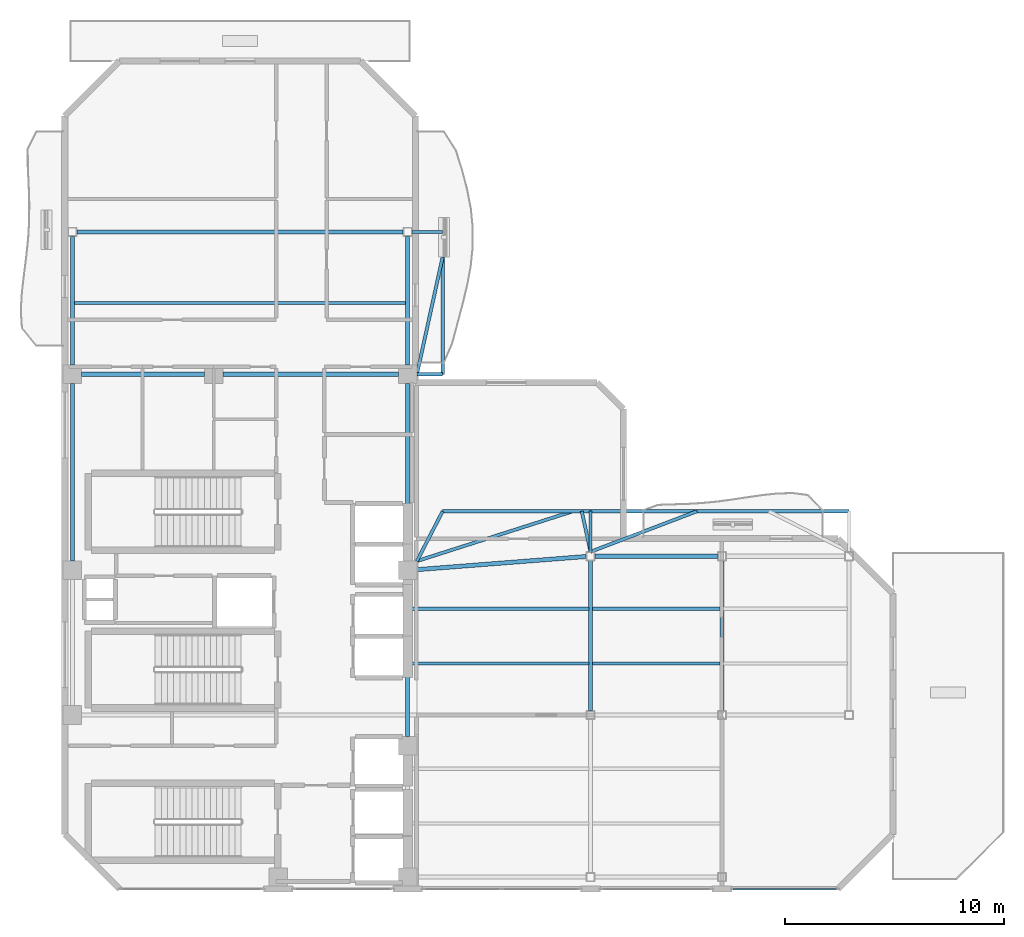
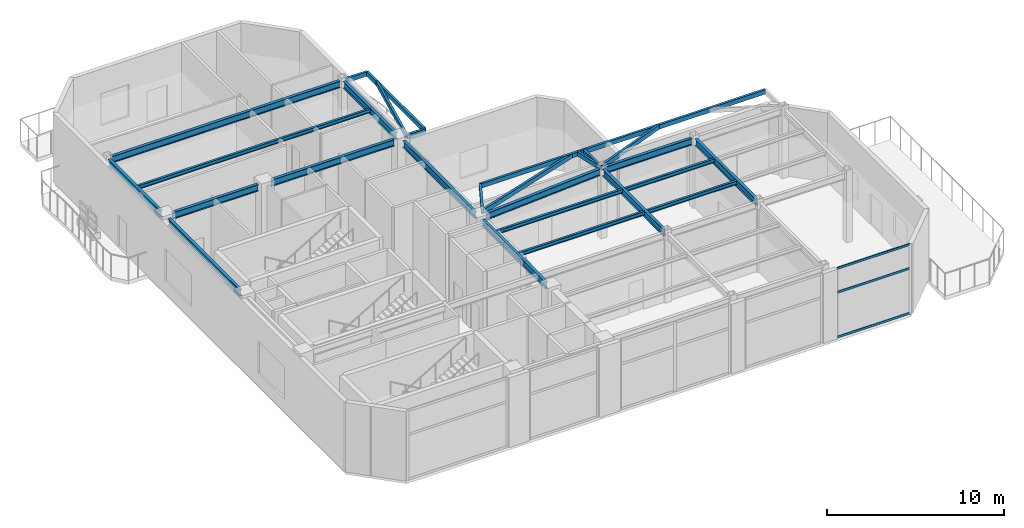
# One storey, part 6 of 14: 28 beams, 3 members, 1 element without a shape of its own.
"""IFC4 building model written with IfcOpenShell, lengths in metres."""

import ifcopenshell
import ifcopenshell.guid

model = None  # the IFC model being written
_history = None  # IfcOwnerHistory: only IFC2X3 demands one
_inside = {}  # id of a spatial element -> (the spatial element, [elements in it])
_under = {}  # id of a project, library or spatial element -> (it, [spatial elements below it])
_declared = {}  # id of a project -> (the project, [libraries it declares])
_typed = {}  # id of a type object -> (the type object, [elements of that type])
_made_of = {}  # id of a material, layer set ... -> (it, [elements and type objects made of it])


def new_model(schema):
    """Start an empty IFC model of exactly this schema.

    Asked for "IFC4X3", IfcOpenShell would pick the latest addendum, in which some entities
    have other attributes; the version numbers below select the first issue.
    IFC2X3 requires an IfcOwnerHistory on every rooted entity: one is made here for all.
    """
    global model, _history
    if schema == "IFC4X3":
        model = ifcopenshell.file(schema_version=(4, 3, 0, 0))
    else:
        model = ifcopenshell.file(schema=schema)
    _inside.clear()
    _under.clear()
    _declared.clear()
    _typed.clear()
    _made_of.clear()
    _history = None
    if model.schema == "IFC2X3":
        org = make("IfcOrganization", Name="unknown")
        user = make(
            "IfcPersonAndOrganization",
            ThePerson=make("IfcPerson", FamilyName="unknown"),
            TheOrganization=org,
        )
        app = make(
            "IfcApplication",
            ApplicationDeveloper=org,
            Version="unknown",
            ApplicationFullName="unknown",
            ApplicationIdentifier="unknown",
        )
        _history = make(
            "IfcOwnerHistory",
            OwningUser=user,
            OwningApplication=app,
            ChangeAction="ADDED",
            CreationDate=0,
        )
    return model


def make(cls, **values):
    """One entity of the class cls with the attributes given. An attribute that is None is left unset."""
    return model.create_entity(
        cls, **{name: value for name, value in values.items() if value is not None}
    )


def rooted(cls, **values):
    """An entity with a GlobalId (a new one), such as an element, a storey or a relation."""
    return make(cls, GlobalId=ifcopenshell.guid.new(), OwnerHistory=_history, **values)


def si_unit(unit_type, name, prefix=None):
    """IfcSIUnit, for example si_unit("LENGTHUNIT", "METRE", prefix="MILLI")."""
    return make("IfcSIUnit", UnitType=unit_type, Prefix=prefix, Name=name)


def assignment(units):
    """IfcUnitAssignment: the units of a project."""
    return None if units is None else make("IfcUnitAssignment", Units=units)


def point(xyz):
    """IfcCartesianPoint."""
    return None if xyz is None else make("IfcCartesianPoint", Coordinates=xyz)


def direction(xyz):
    """IfcDirection."""
    return None if xyz is None else make("IfcDirection", DirectionRatios=xyz)


def frame(location, z_axis=None, x_axis=None):
    """IfcAxis2Placement3D, a coordinate frame: its origin and axes. An axis left out is left unset."""
    return make(
        "IfcAxis2Placement3D",
        Location=point(location),
        Axis=direction(z_axis),
        RefDirection=direction(x_axis),
    )


def frame_2d(location, x_axis=None):
    """IfcAxis2Placement2D, a coordinate frame in the plane: its origin and x axis."""
    return make(
        "IfcAxis2Placement2D", Location=point(location), RefDirection=direction(x_axis)
    )


def origin():
    """The frame at (0, 0, 0) with its axes left unset."""
    return frame((0.0, 0.0, 0.0))


def origin_2d():
    """The frame at (0, 0) in the plane with its x axis left unset."""
    return frame_2d((0.0, 0.0))


def place(relative_to, where):
    """IfcLocalPlacement: puts the frame where relative to a parent placement (None: the world)."""
    return make(
        "IfcLocalPlacement", PlacementRelTo=relative_to, RelativePlacement=where
    )


def context(
    kind, dimensions, precision=None, world=None, true_north=None, identifier=None
):
    """IfcGeometricRepresentationContext, for example the 3D "Model" context."""
    return make(
        "IfcGeometricRepresentationContext",
        ContextIdentifier=identifier,
        ContextType=kind,
        CoordinateSpaceDimension=dimensions,
        Precision=precision,
        WorldCoordinateSystem=world,
        TrueNorth=true_north,
    )


def subcontext(parent, identifier, kind, view, scale=None):
    """IfcGeometricRepresentationSubContext, for example "Body" below "Model"."""
    return make(
        "IfcGeometricRepresentationSubContext",
        ContextIdentifier=identifier,
        ContextType=kind,
        ParentContext=parent,
        TargetScale=scale,
        TargetView=view,
    )


def project(units=None, contexts=None):
    """IfcProject with its units and contexts."""
    return rooted(
        "IfcProject",
        Name="project",
        RepresentationContexts=contexts,
        UnitsInContext=assignment(units),
    )


def spatial(cls, under=None, at=None, **own):
    """A site, building, storey or space (cls), placed at a placement, below another one or the project."""
    s = rooted(cls, ObjectPlacement=at, **own)
    if under is not None:
        _under.setdefault(under.id(), (under, []))[1].append(s)
    return s


def profile(cls, at=None, kind="AREA", **sizes):
    """A parametric profile (cls). Its sizes go by their IFC names, for example OverallWidth=200.0."""
    return make(cls, ProfileType=kind, Position=at, **sizes)


def hollow_rectangle(**sizes):
    """IfcRectangleHollowProfileDef."""
    return profile("IfcRectangleHollowProfileDef", **sizes)


def i_section(**sizes):
    """IfcIShapeProfileDef."""
    return profile("IfcIShapeProfileDef", **sizes)


def extrude(swept, where, along, depth):
    """IfcExtrudedAreaSolid: the profile swept, set in the frame where, extruded along a direction by depth."""
    return make(
        "IfcExtrudedAreaSolid",
        SweptArea=swept,
        Position=where,
        ExtrudedDirection=direction(along),
        Depth=depth,
    )


def shape(context_of_items, identifier, shape_type, items):
    """IfcShapeRepresentation: the items that make up one representation, for example the "Body"."""
    return make(
        "IfcShapeRepresentation",
        ContextOfItems=context_of_items,
        RepresentationIdentifier=identifier,
        RepresentationType=shape_type,
        Items=items,
    )


def material(Name=None, Category=None):
    """IfcMaterial."""
    return make("IfcMaterial", Name=Name, Category=Category)


def layer(
    of_material, thickness, ventilated=None, Name=None, Category=None, Priority=None
):
    """IfcMaterialLayer: one layer of a wall or slab, of a material (None: an air gap)."""
    return make(
        "IfcMaterialLayer",
        Material=of_material,
        LayerThickness=thickness,
        IsVentilated=ventilated,
        Name=Name,
        Category=Category,
        Priority=Priority,
    )


def layer_set(layers, Name=None):
    """IfcMaterialLayerSet."""
    return make("IfcMaterialLayerSet", MaterialLayers=layers, LayerSetName=Name)


def material_profile(
    of_material, cross_section, Name=None, Category=None, Priority=None
):
    """IfcMaterialProfile: a cross section and its material."""
    return make(
        "IfcMaterialProfile",
        Name=Name,
        Material=of_material,
        Profile=cross_section,
        Priority=Priority,
        Category=Category,
    )


def profile_set(profiles, Name=None, composite=None):
    """IfcMaterialProfileSet."""
    return make(
        "IfcMaterialProfileSet",
        Name=Name,
        MaterialProfiles=profiles,
        CompositeProfile=composite,
    )


def made_of(thing, what):
    """Note that an element or type object is made of a material, layer set ...; save() writes the relation."""
    if what is not None:
        _made_of.setdefault(what.id(), (what, []))[1].append(thing)
    return thing


def type_object(cls, material=None, **own):
    """A type object (cls), such as IfcWallType, which elements share."""
    return made_of(rooted(cls, **own), material)


def element(
    cls,
    number,
    at=None,
    inside=None,
    cuts=None,
    type_object=None,
    material=None,
    context=None,
    identifier="Body",
    shape_type=None,
    held_by="IfcProductDefinitionShape",
    body=None,
    shapes=None,
    **own,
):
    """One element of the class cls, such as IfcWall. Its Tag is "e" and its number.

    at: its placement. inside: the storey or other place that contains it. cuts: it is an
    opening in that element (IfcRelVoidsElement). A single representation is given by context,
    identifier, shape_type and body (its items); several are given by shapes. held_by: the class
    of the entity that holds the representations. save() writes the other relations.
    """
    e = rooted(cls, Tag="e%d" % number, ObjectPlacement=at, **own)
    if body is not None:
        shapes = [shape(context, identifier, shape_type, body)]
    if shapes is not None:
        e.Representation = make(held_by, Representations=shapes)
    if inside is not None:
        _inside.setdefault(inside.id(), (inside, []))[1].append(e)
    if cuts is not None:
        rooted(
            "IfcRelVoidsElement", RelatingBuildingElement=cuts, RelatedOpeningElement=e
        )
    if type_object is not None:
        _typed.setdefault(type_object.id(), (type_object, []))[1].append(e)
    return made_of(e, material)


def aggregate(whole, parts):
    """IfcRelAggregates: a whole, such as a stair, and the parts it consists of."""
    return rooted("IfcRelAggregates", RelatingObject=whole, RelatedObjects=parts)


def save(model, path):
    """Write the relations noted so far, then the file.

    IfcRelAggregates (storeys below a building ...), IfcRelContainedInSpatialStructure (elements
    in a storey), IfcRelDefinesByType, IfcRelAssociatesMaterial and IfcRelDeclares: one each for
    every whole, place, type object, material and project.
    """
    for whole, parts in _under.values():
        aggregate(whole, parts)
    for where, things in _inside.values():
        rooted(
            "IfcRelContainedInSpatialStructure",
            RelatedElements=things,
            RelatingStructure=where,
        )
    for kind, things in _typed.values():
        rooted("IfcRelDefinesByType", RelatedObjects=things, RelatingType=kind)
    for what, things in _made_of.values():
        rooted("IfcRelAssociatesMaterial", RelatedObjects=things, RelatingMaterial=what)
    for by, libraries in _declared.values():
        rooted("IfcRelDeclares", RelatingContext=by, RelatedDefinitions=libraries)
    model.write(path)


model = new_model("IFC4")

# Units and contexts
model_context = context("Model", 3, precision=1e-05, world=origin(), true_north=direction((0.0, 1.0)))
body_context = subcontext(model_context, "Body", "Model", "MODEL_VIEW")
ifc_project = project(units=[si_unit("LENGTHUNIT", "METRE"), si_unit("AREAUNIT", "SQUARE_METRE"), si_unit("VOLUMEUNIT", "CUBIC_METRE"), si_unit("PLANEANGLEUNIT", "RADIAN"), si_unit("MASSUNIT", "GRAM", prefix="KILO")], contexts=[model_context])

# Site, building, storey
site_placement = place(None, origin())
site = spatial("IfcSite", under=ifc_project, at=site_placement, CompositionType="ELEMENT")
building_placement = place(site_placement, origin())
building = spatial("IfcBuilding", under=site, at=building_placement, Name="Mawjaban Terraces University", CompositionType="ELEMENT")
storey_placement = place(building_placement, frame((0.0, 0.0, 243.199951171875)))
storey = spatial("IfcBuildingStorey", under=building, at=storey_placement, Name="L59", CompositionType="ELEMENT", Elevation=243.199951171875)

# Beams
ifc_material_1 = material(Name="Steel EN 10210-1 S355J2H", Category="steel")
ifc_material_profile_1 = material_profile(ifc_material_1, hollow_rectangle(XDim=0.14990234375, YDim=0.300048828125, WallThickness=0.012451171875, at=origin_2d()), Name="RHS300X150X12.5")
ifc_profile_set_1 = profile_set([ifc_material_profile_1], Name="Steel EN 10210-1 S355J2H")
beam_type_1 = type_object("IfcBeamType", Name="BalconyCantileverSpandrel_RHS", PredefinedType="SPANDREL", material=ifc_profile_set_1)
beam_1_placement = place(storey_placement, frame((46.0, 15.39990234375, 4.64013671875), z_axis=(0.0, 1.0, 0.0), x_axis=(-1.0, 0.0, 0.0)))
element("IfcBeam", 1, at=beam_1_placement, inside=storey, type_object=beam_type_1, Name="L59 Exterior Outrigger BAL-L60-N.1", PredefinedType="SPANDREL", context=body_context, shape_type="SweptSolid", body=[
    extrude(hollow_rectangle(XDim=0.14990234375, YDim=0.300048828125, WallThickness=0.012451171875, at=origin_2d()), origin(), (0.0, 0.0, 1.0), 1.85009765625),
])
beam_2_placement = place(storey_placement, frame((46.0, 17.25, 4.64013671875), z_axis=(1.0, 0.0, 0.0), x_axis=(0.0, 1.0, 0.0)))
element("IfcBeam", 2, at=beam_2_placement, inside=storey, type_object=beam_type_1, Name="L59 Exterior Edge Spandrel BAL-L60-N", PredefinedType="SPANDREL", context=body_context, shape_type="SweptSolid", body=[
    extrude(hollow_rectangle(XDim=0.14990234375, YDim=0.300048828125, WallThickness=0.012451171875, at=origin_2d()), origin(), (0.0, 0.0, 1.0), 11.800048828125),
])
beam_3_placement = place(storey_placement, frame((46.0, 15.39990234375, 4.64013671875), z_axis=(0.934575465031, 0.355764950721, 0.0), x_axis=(-0.355764950721, 0.934575465031, 0.0)))
element("IfcBeam", 3, at=beam_3_placement, inside=storey, type_object=beam_type_1, Name="L59 Exterior Diagonal Strut BAL-L60-N.1", PredefinedType="SPANDREL", context=body_context, shape_type="SweptSolid", body=[
    extrude(hollow_rectangle(XDim=0.14990234375, YDim=0.300048828125, WallThickness=0.012451171875, at=origin_2d()), origin(), (0.0, 0.0, 1.0), 5.200439453125),
])
beam_4_placement = place(storey_placement, frame((38.074951171875, 23.5, 4.64013671875), z_axis=(1.0, 0.0, 0.0), x_axis=(0.0, 1.0, 0.0)))
element("IfcBeam", 4, at=beam_4_placement, inside=storey, type_object=beam_type_1, Name="L59 Exterior Outrigger BAL-L60-E.1", PredefinedType="SPANDREL", context=body_context, shape_type="SweptSolid", body=[
    extrude(hollow_rectangle(XDim=0.14990234375, YDim=0.300048828125, WallThickness=0.012451171875, at=origin_2d()), origin(), (0.0, 0.0, 1.0), 1.175048828125),
])
beam_5_placement = place(storey_placement, frame((37.85009765625, 30.0, 4.64013671875), z_axis=(1.0, 0.0, 0.0), x_axis=(0.0, 1.0, 0.0)))
element("IfcBeam", 5, at=beam_5_placement, inside=storey, type_object=beam_type_1, Name="L59 Exterior Outrigger BAL-L60-E.2", PredefinedType="SPANDREL", context=body_context, shape_type="SweptSolid", body=[
    extrude(hollow_rectangle(XDim=0.14990234375, YDim=0.300048828125, WallThickness=0.012451171875, at=origin_2d()), origin(), (0.0, 0.0, 1.0), 1.39990234375),
])
beam_6_placement = place(storey_placement, frame((39.25, 23.5, 4.64013671875), z_axis=(0.0, 1.0, 0.0), x_axis=(-1.0, 0.0, 0.0)))
element("IfcBeam", 6, at=beam_6_placement, inside=storey, type_object=beam_type_1, Name="L59 Exterior Edge Spandrel BAL-L60-E", PredefinedType="SPANDREL", context=body_context, shape_type="SweptSolid", body=[
    extrude(hollow_rectangle(XDim=0.14990234375, YDim=0.300048828125, WallThickness=0.012451171875, at=origin_2d()), origin(), (0.0, 0.0, 1.0), 6.5),
])
beam_7_placement = place(storey_placement, frame((38.074951171875, 23.5, 4.64013671875), z_axis=(0.214136046933, 0.97680384592, 0.0), x_axis=(-0.97680384592, 0.214136046933, 0.0)))
element("IfcBeam", 7, at=beam_7_placement, inside=storey, type_object=beam_type_1, Name="L59 Exterior Diagonal Strut BAL-L60-E.1", PredefinedType="SPANDREL", context=body_context, shape_type="SweptSolid", body=[
    extrude(hollow_rectangle(XDim=0.14990234375, YDim=0.300048828125, WallThickness=0.012451171875, at=origin_2d()), origin(), (0.0, 0.0, 1.0), 5.4873046875),
])
beam_8_placement = place(storey_placement, frame((38.074951171875, 14.97509765625, 4.64013671875), z_axis=(0.458922210771, 0.88847645127, 0.0), x_axis=(-0.88847645127, 0.458922210771, 0.0)))
element("IfcBeam", 8, at=beam_8_placement, inside=storey, type_object=beam_type_1, Name="L59 Corner Outrigger TER-L60-CLIMB", PredefinedType="SPANDREL", context=body_context, shape_type="SweptSolid", body=[
    extrude(hollow_rectangle(XDim=0.14990234375, YDim=0.300048828125, WallThickness=0.012451171875, at=origin_2d()), origin(), (0.0, 0.0, 1.0), 2.560546875),
])
beam_9_placement = place(storey_placement, frame((39.25, 17.25, 4.64013671875), z_axis=(1.0, 0.0, 0.0), x_axis=(0.0, 1.0, 0.0)))
element("IfcBeam", 9, at=beam_9_placement, inside=storey, type_object=beam_type_1, Name="L59 Exterior Edge Spandrel TER-L60-CLIMB", PredefinedType="SPANDREL", context=body_context, shape_type="SweptSolid", body=[
    extrude(hollow_rectangle(XDim=0.14990234375, YDim=0.300048828125, WallThickness=0.012451171875, at=origin_2d()), origin(), (0.0, 0.0, 1.0), 6.75),
])
beam_10_placement = place(storey_placement, frame((38.074951171875, 14.97509765625, 4.64013671875), z_axis=(0.952621787835, 0.304157408822, 0.0), x_axis=(-0.304157408822, 0.952621787835, 0.0)))
element("IfcBeam", 10, at=beam_10_placement, inside=storey, type_object=beam_type_1, Name="L59 Exterior Diagonal Strut TER-L60-CLIMB.1", PredefinedType="SPANDREL", context=body_context, shape_type="SweptSolid", body=[
    extrude(hollow_rectangle(XDim=0.14990234375, YDim=0.300048828125, WallThickness=0.012451171875, at=origin_2d()), origin(), (0.0, 0.0, 1.0), 7.479248046875),
])
beam_11_placement = place(storey_placement, frame((46.0, 15.39990234375, 4.64013671875), z_axis=(-0.211272846459, 0.977427124828, 0.0), x_axis=(-0.977427124828, -0.211272846459, 0.0)))
element("IfcBeam", 11, at=beam_11_placement, inside=storey, type_object=beam_type_1, Name="L59 Exterior Diagonal Strut TER-L60-CLIMB.2", PredefinedType="SPANDREL", context=body_context, shape_type="SweptSolid", body=[
    extrude(hollow_rectangle(XDim=0.14990234375, YDim=0.300048828125, WallThickness=0.012451171875, at=origin_2d()), origin(), (0.0, 0.0, 1.0), 1.892822265625),
])
ifc_material_2 = material(Name="Steel ASTM A572 Grade 50", Category="steel")
ifc_material_profile_2 = material_profile(ifc_material_2, i_section(OverallWidth=0.19189453125, OverallDepth=0.462890625, WebThickness=0.010498046875, FlangeThickness=0.017578125, at=origin_2d()), Name="W460X89")
ifc_profile_set_2 = profile_set([ifc_material_profile_2], Name="Steel ASTM A572 Grade 50")
beam_type_2 = type_object("IfcBeamType", Name="Beam_B_W460X89", PredefinedType="BEAM", material=ifc_profile_set_2)
for number, where, z_axis, x_axis, name in (
    (12, (46.199951171875, 15.199951171875, 4.55810546875), (1.0, 0.0, 0.0), (0.0, 1.0, 0.0), "L59 Beam BM-L59-EW-06"),
    (13, (22.77490234375, 23.5, 4.55810546875), (1.0, 0.0, 0.0), (0.0, 1.0, 0.0), "L59 Beam BM-L59-EW-08"),
):
    element("IfcBeam", number, at=place(storey_placement, frame(where, z_axis=z_axis, x_axis=x_axis)), inside=storey, type_object=beam_type_2, Name=name, PredefinedType="BEAM", context=body_context, shape_type="SweptSolid", body=[
        extrude(i_section(OverallWidth=0.19189453125, OverallDepth=0.462890625, WebThickness=0.010498046875, FlangeThickness=0.017578125, at=origin_2d()), origin(), (0.0, 0.0, 1.0), 5.60009765625),
    ])
beam_12_placement = place(storey_placement, frame((29.22509765625, 23.5, 4.55810546875), z_axis=(1.0, 0.0, 0.0), x_axis=(0.0, 1.0, 0.0)))
element("IfcBeam", 14, at=beam_12_placement, inside=storey, type_object=beam_type_2, Name="L59 Beam BM-L59-EW-09", PredefinedType="BEAM", context=body_context, shape_type="SweptSolid", body=[
    extrude(i_section(OverallWidth=0.19189453125, OverallDepth=0.462890625, WebThickness=0.010498046875, FlangeThickness=0.017578125, at=origin_2d()), origin(), (0.0, 0.0, 1.0), 8.0),
])
beam_13_placement = place(storey_placement, frame((22.550048828125, 30.0, 4.55810546875), z_axis=(1.0, 0.0, 0.0), x_axis=(0.0, 1.0, 0.0)))
element("IfcBeam", 15, at=beam_13_placement, inside=storey, type_object=beam_type_2, Name="L59 Beam BM-L59-EW-10", PredefinedType="BEAM", context=body_context, shape_type="SweptSolid", body=[
    extrude(i_section(OverallWidth=0.19189453125, OverallDepth=0.462890625, WebThickness=0.010498046875, FlangeThickness=0.017578125, at=origin_2d()), origin(), (0.0, 0.0, 1.0), 14.89990234375),
])
beam_14_placement = place(storey_placement, frame((22.35009765625, 14.97509765625, 4.55810546875), z_axis=(0.0, 1.0, 0.0), x_axis=(-1.0, 0.0, 0.0)))
element("IfcBeam", 16, at=beam_14_placement, inside=storey, type_object=beam_type_2, Name="L59 Beam BM-L59-NS-02", PredefinedType="BEAM", context=body_context, shape_type="SweptSolid", body=[
    extrude(i_section(OverallWidth=0.19189453125, OverallDepth=0.462890625, WebThickness=0.010498046875, FlangeThickness=0.017578125, at=origin_2d()), origin(), (0.0, 0.0, 1.0), 8.099853515625),
])
beam_15_placement = place(storey_placement, frame((22.35009765625, 23.925048828125, 4.55810546875), z_axis=(0.0, 1.0, 0.0), x_axis=(-1.0, 0.0, 0.0)))
element("IfcBeam", 17, at=beam_15_placement, inside=storey, type_object=beam_type_2, Name="L59 Beam BM-L59-NS-03", PredefinedType="BEAM", context=body_context, shape_type="SweptSolid", body=[
    extrude(i_section(OverallWidth=0.19189453125, OverallDepth=0.462890625, WebThickness=0.010498046875, FlangeThickness=0.017578125, at=origin_2d()), origin(), (0.0, 0.0, 1.0), 5.875),
])
beam_16_placement = place(storey_placement, frame((37.64990234375, 6.97509765625, 4.55810546875), z_axis=(0.0, 1.0, 0.0), x_axis=(-1.0, 0.0, 0.0)))
element("IfcBeam", 18, at=beam_16_placement, inside=storey, type_object=beam_type_2, Name="L59 Beam BM-L59-NS-05", PredefinedType="BEAM", context=body_context, shape_type="SweptSolid", body=[
    extrude(i_section(OverallWidth=0.19189453125, OverallDepth=0.462890625, WebThickness=0.010498046875, FlangeThickness=0.017578125, at=origin_2d()), origin(), (0.0, 0.0, 1.0), 7.14990234375),
])
beam_17_placement = place(storey_placement, frame((37.64990234375, 14.97509765625, 4.55810546875), z_axis=(0.0, 1.0, 0.0), x_axis=(-1.0, 0.0, 0.0)))
element("IfcBeam", 19, at=beam_17_placement, inside=storey, type_object=beam_type_2, Name="L59 Beam BM-L59-NS-06", PredefinedType="BEAM", context=body_context, shape_type="SweptSolid", body=[
    extrude(i_section(OverallWidth=0.19189453125, OverallDepth=0.462890625, WebThickness=0.010498046875, FlangeThickness=0.017578125, at=origin_2d()), origin(), (0.0, 0.0, 1.0), 8.099853515625),
])
beam_18_placement = place(storey_placement, frame((37.64990234375, 23.925048828125, 4.55810546875), z_axis=(0.0, 1.0, 0.0), x_axis=(-1.0, 0.0, 0.0)))
element("IfcBeam", 20, at=beam_18_placement, inside=storey, type_object=beam_type_2, Name="L59 Beam BM-L59-NS-07", PredefinedType="BEAM", context=body_context, shape_type="SweptSolid", body=[
    extrude(i_section(OverallWidth=0.19189453125, OverallDepth=0.462890625, WebThickness=0.010498046875, FlangeThickness=0.017578125, at=origin_2d()), origin(), (0.0, 0.0, 1.0), 5.875),
])
for number, where, z_axis, x_axis, name in (
    (21, (46.0, 8.14990234375, 4.55810546875), (0.0, 1.0, 0.0), (-1.0, 0.0, 0.0), "L59 Beam BM-L59-NS-09"),
    (22, (52.0, 8.14990234375, 4.55810546875), (0.0, 1.0, 0.0), (-1.0, 0.0, 0.0), "L59 Beam BM-L59-NS-11"),
):
    element("IfcBeam", number, at=place(storey_placement, frame(where, z_axis=z_axis, x_axis=x_axis)), inside=storey, type_object=beam_type_2, Name=name, PredefinedType="BEAM", context=body_context, shape_type="SweptSolid", body=[
        extrude(i_section(OverallWidth=0.19189453125, OverallDepth=0.462890625, WebThickness=0.010498046875, FlangeThickness=0.017578125, at=origin_2d()), origin(), (0.0, 0.0, 1.0), 6.85009765625),
    ])
beam_19_placement = place(storey_placement, frame((38.073974609375, 14.5830078125, 4.55810546875), z_axis=(0.996988151141, 0.077554023005, 0.0), x_axis=(-0.077554023005, 0.996988151141, 0.0)))
element("IfcBeam", 23, at=beam_19_placement, inside=storey, type_object=beam_type_2, Name="L59 Beam BM-L59-CTIE", PredefinedType="BEAM", context=body_context, shape_type="SweptSolid", body=[
    extrude(i_section(OverallWidth=0.19189453125, OverallDepth=0.462890625, WebThickness=0.010498046875, FlangeThickness=0.017578125, at=origin_2d()), origin(), (0.0, 0.0, 1.0), 7.75048828125),
])
ifc_material_profile_3 = material_profile(ifc_material_2, i_section(OverallWidth=0.14794921875, OverallDepth=0.26611328125, WebThickness=0.007568359375, FlangeThickness=0.012939453125, at=origin_2d()), Name="W250X45")
ifc_profile_set_3 = profile_set([ifc_material_profile_3], Name="Steel ASTM A572 Grade 50")
beam_type_3 = type_object("IfcBeamType", Name="Beam_J_W250X45", PredefinedType="JOIST", material=ifc_profile_set_3)
beam_20_placement = place(storey_placement, frame((37.72998046875, 10.300048828125, 4.656982421875), z_axis=(1.0, 0.0, 0.0), x_axis=(0.0, 1.0, 0.0)))
element("IfcBeam", 24, at=beam_20_placement, inside=storey, type_object=beam_type_3, Name="L59 Composite Joist JST-L59-05", PredefinedType="JOIST", context=body_context, shape_type="SweptSolid", body=[
    extrude(i_section(OverallWidth=0.14794921875, OverallDepth=0.26611328125, WebThickness=0.007568359375, FlangeThickness=0.012939453125, at=origin_2d()), origin(), (0.0, 0.0, 1.0), 8.18994140625),
])
beam_21_placement = place(storey_placement, frame((46.080078125, 10.300048828125, 4.656982421875), z_axis=(1.0, 0.0, 0.0), x_axis=(0.0, 1.0, 0.0)))
element("IfcBeam", 25, at=beam_21_placement, inside=storey, type_object=beam_type_3, Name="L59 Composite Joist JST-L59-06", PredefinedType="JOIST", context=body_context, shape_type="SweptSolid", body=[
    extrude(i_section(OverallWidth=0.14794921875, OverallDepth=0.26611328125, WebThickness=0.007568359375, FlangeThickness=0.012939453125, at=origin_2d()), origin(), (0.0, 0.0, 1.0), 5.83984375),
])
beam_22_placement = place(storey_placement, frame((37.72998046875, 12.800048828125, 4.656982421875), z_axis=(1.0, 0.0, 0.0), x_axis=(0.0, 1.0, 0.0)))
element("IfcBeam", 26, at=beam_22_placement, inside=storey, type_object=beam_type_3, Name="L59 Composite Joist JST-L59-08", PredefinedType="JOIST", context=body_context, shape_type="SweptSolid", body=[
    extrude(i_section(OverallWidth=0.14794921875, OverallDepth=0.26611328125, WebThickness=0.007568359375, FlangeThickness=0.012939453125, at=origin_2d()), origin(), (0.0, 0.0, 1.0), 8.18994140625),
])
beam_23_placement = place(storey_placement, frame((46.080078125, 12.800048828125, 4.656982421875), z_axis=(1.0, 0.0, 0.0), x_axis=(0.0, 1.0, 0.0)))
element("IfcBeam", 27, at=beam_23_placement, inside=storey, type_object=beam_type_3, Name="L59 Composite Joist JST-L59-09", PredefinedType="JOIST", context=body_context, shape_type="SweptSolid", body=[
    extrude(i_section(OverallWidth=0.14794921875, OverallDepth=0.26611328125, WebThickness=0.007568359375, FlangeThickness=0.012939453125, at=origin_2d()), origin(), (0.0, 0.0, 1.0), 5.83984375),
])
beam_24_placement = place(storey_placement, frame((22.429931640625, 26.75, 4.656982421875), z_axis=(1.0, 0.0, 0.0), x_axis=(0.0, 1.0, 0.0)))
element("IfcBeam", 28, at=beam_24_placement, inside=storey, type_object=beam_type_3, Name="L59 Composite Joist JST-L59-11", PredefinedType="JOIST", context=body_context, shape_type="SweptSolid", body=[
    extrude(i_section(OverallWidth=0.14794921875, OverallDepth=0.26611328125, WebThickness=0.007568359375, FlangeThickness=0.012939453125, at=origin_2d()), origin(), (0.0, 0.0, 1.0), 15.14013671875),
])

# Curtain wall, members
ifc_material_3 = material(Name="Anodised aluminium 6063-T6 and solar-control low-E glass", Category="aluminium")
ifc_layer = layer(ifc_material_3, 0.18994140625)
ifc_layer_set = layer_set([ifc_layer], Name="Anodised aluminium 6063-T6 and solar-control low-E glass")
curtain_wall_type = type_object("IfcCurtainWallType", Name="CWSystem_05_SkyLobby", PredefinedType="NOTDEFINED", material=ifc_layer_set)
curtain_wall_placement = place(storey_placement, origin())
curtain_wall = element("IfcCurtainWall", 29, at=curtain_wall_placement, inside=storey, type_object=curtain_wall_type, Name="L59 Curtain Wall CW-05 Run 1.5", PredefinedType="NOTDEFINED")
ifc_material_4 = material(Name="Anodised aluminium 6063-T6", Category="aluminium")
ifc_material_profile_4 = material_profile(ifc_material_4, hollow_rectangle(XDim=0.06005859375, YDim=0.14990234375, WallThickness=0.00390625, at=origin_2d()), Name="ALU150X60X4")
ifc_profile_set_4 = profile_set([ifc_material_profile_4], Name="Anodised aluminium 6063-T6")
member_type = type_object("IfcMemberType", Name="Transom_CW-05", PredefinedType="NOTDEFINED", material=ifc_profile_set_4)
member_1_placement = place(storey_placement, frame((52.514892578125, 0.0, 0.030029296875), z_axis=(1.0, 0.0, 0.0), x_axis=(0.0, 1.0, 0.0)))
member_1 = element("IfcMember", 30, at=member_1_placement, type_object=member_type, Name="CW-05 transom 1.1", ObjectType="TRANSOM", PredefinedType="USERDEFINED", context=body_context, shape_type="SweptSolid", body=[
    extrude(hollow_rectangle(XDim=0.06005859375, YDim=0.14990234375, WallThickness=0.00390625, at=origin_2d()), origin(), (0.0, 0.0, 1.0), 4.72021484375),
])
member_2_placement = place(storey_placement, frame((52.514892578125, 0.0, 3.114013671875), z_axis=(1.0, 0.0, 0.0), x_axis=(0.0, 1.0, 0.0)))
member_2 = element("IfcMember", 31, at=member_2_placement, type_object=member_type, Name="CW-05 transom 1.2", ObjectType="TRANSOM", PredefinedType="USERDEFINED", context=body_context, shape_type="SweptSolid", body=[
    extrude(hollow_rectangle(XDim=0.06005859375, YDim=0.14990234375, WallThickness=0.00390625, at=origin_2d()), origin(), (0.0, 0.0, 1.0), 4.72021484375),
])
member_3_placement = place(storey_placement, frame((52.514892578125, 0.0, 4.760009765625), z_axis=(1.0, 0.0, 0.0), x_axis=(0.0, 1.0, 0.0)))
member_3 = element("IfcMember", 32, at=member_3_placement, type_object=member_type, Name="CW-05 transom 1.3", ObjectType="TRANSOM", PredefinedType="USERDEFINED", context=body_context, shape_type="SweptSolid", body=[
    extrude(hollow_rectangle(XDim=0.06005859375, YDim=0.14990234375, WallThickness=0.00390625, at=origin_2d()), origin(), (0.0, 0.0, 1.0), 4.72021484375),
])
aggregate(curtain_wall, [member_1, member_2, member_3])

save(model, "model.ifc")
